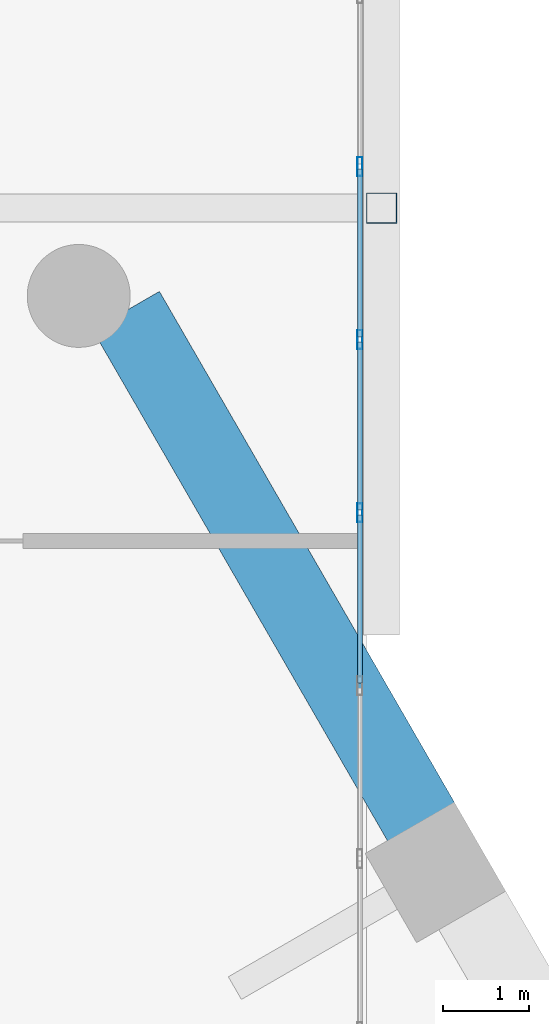
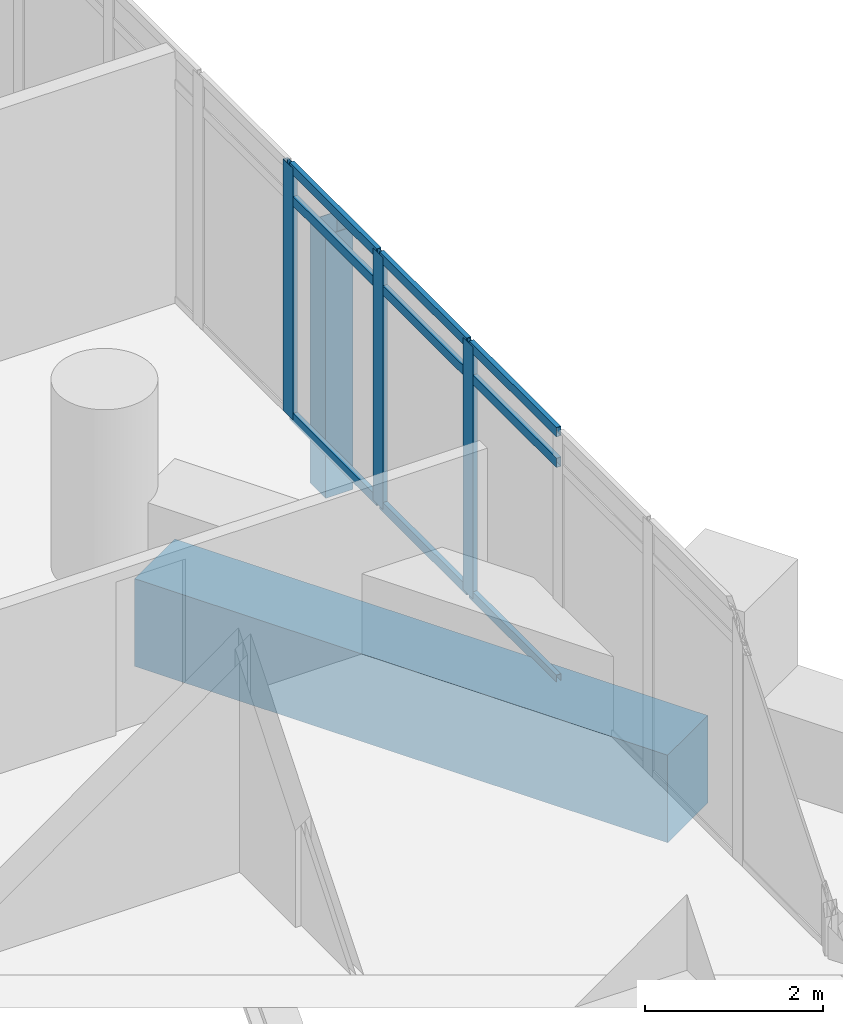
# One storey, part 24 of 37: 13 members, 1 beam, 1 element without a shape of its own.
"""IFC4 building model written with IfcOpenShell, lengths in metres."""

from ifc_helpers import new_model, si_unit, direction, frame, origin, origin_2d, place, context, subcontext, project, spatial, rectangle, hollow_rectangle, extrude, material, material_profile, profile_set, type_object, element, aggregate, save


model = new_model("IFC4")

# Units and contexts
model_context = context("Model", 3, precision=1e-05, world=origin(), true_north=direction((0.0, 1.0)))
body_context = subcontext(model_context, "Body", "Model", "MODEL_VIEW")
ifc_project = project(units=[si_unit("LENGTHUNIT", "METRE"), si_unit("AREAUNIT", "SQUARE_METRE"), si_unit("VOLUMEUNIT", "CUBIC_METRE"), si_unit("PLANEANGLEUNIT", "RADIAN"), si_unit("MASSUNIT", "GRAM", prefix="KILO")], contexts=[model_context])

# Site, building, storey
site_placement = place(None, origin())
site = spatial("IfcSite", under=ifc_project, at=site_placement, CompositionType="ELEMENT")
building_placement = place(site_placement, origin())
building = spatial("IfcBuilding", under=site, at=building_placement, Name="Ostrander Bayou Hotel Tower", CompositionType="ELEMENT")
storey_placement = place(building_placement, frame((0.0, 0.0, 131.0)))
storey = spatial("IfcBuildingStorey", under=building, at=storey_placement, Name="L32", CompositionType="ELEMENT", Elevation=131.0)

# Curtain wall, members
ifc_material_1 = material(Name="Aluminium and clear glass", Category="aluminium")
curtain_wall_type = type_object("IfcCurtainWallType", Name="CW-BAR glazed wall", PredefinedType="NOTDEFINED", material=ifc_material_1)
curtain_wall_placement = place(storey_placement, origin())
curtain_wall = element("IfcCurtainWall", 1, at=curtain_wall_placement, inside=storey, type_object=curtain_wall_type, Name="CW-BAR L32:SB3N:W", PredefinedType="NOTDEFINED")
ifc_material_2 = material(Name="Aluminium", Category="aluminium")
ifc_material_profile_1 = material_profile(ifc_material_2, hollow_rectangle(XDim=0.06005859375, YDim=0.219970703125, WallThickness=0.00390625, at=origin_2d()))
ifc_profile_set_1 = profile_set([ifc_material_profile_1], Name="Aluminium")
member_type_1 = type_object("IfcMemberType", Name="CW-BR mullion 60 x 220 mm", PredefinedType="MULLION", material=ifc_profile_set_1)
member_1_placement = place(storey_placement, frame((13.3671875, 16.931884765625, 0.0), z_axis=(0.0, 0.0, 1.0), x_axis=(-1.0, 0.0, 0.0)))
member_1 = element("IfcMember", 2, at=member_1_placement, type_object=member_type_1, Name="CW-BAR mullion 5", PredefinedType="MULLION", context=body_context, shape_type="SweptSolid", body=[
    extrude(hollow_rectangle(XDim=0.06005859375, YDim=0.219970703125, WallThickness=0.00390625, at=origin_2d()), origin(), (0.0, 0.0, 1.0), 3.449951171875),
])
member_2_placement = place(storey_placement, frame((13.3671875, 18.949462890625, 0.0), z_axis=(0.0, 0.0, 1.0), x_axis=(-1.0, 0.0, 0.0)))
member_2 = element("IfcMember", 3, at=member_2_placement, type_object=member_type_1, Name="CW-BAR mullion 6", PredefinedType="MULLION", context=body_context, shape_type="SweptSolid", body=[
    extrude(hollow_rectangle(XDim=0.06005859375, YDim=0.219970703125, WallThickness=0.00390625, at=origin_2d()), origin(), (0.0, 0.0, 1.0), 3.449951171875),
])
member_3_placement = place(storey_placement, frame((13.3671875, 20.967041015625, 0.0), z_axis=(0.0, 0.0, 1.0), x_axis=(-1.0, 0.0, 0.0)))
member_3 = element("IfcMember", 4, at=member_3_placement, type_object=member_type_1, Name="CW-BAR mullion 7", PredefinedType="MULLION", context=body_context, shape_type="SweptSolid", body=[
    extrude(hollow_rectangle(XDim=0.06005859375, YDim=0.219970703125, WallThickness=0.00390625, at=origin_2d()), origin(), (0.0, 0.0, 1.0), 3.449951171875),
])
ifc_material_3 = material(Name="Aluminium", Category="aluminium")
ifc_material_profile_2 = material_profile(ifc_material_3, hollow_rectangle(XDim=0.06005859375, YDim=0.1298828125, WallThickness=0.00390625, at=origin_2d()))
ifc_profile_set_2 = profile_set([ifc_material_profile_2], Name="Aluminium")
member_type_2 = type_object("IfcMemberType", Name="CW-BR transom 60 x 130 mm", PredefinedType="USERDEFINED", material=ifc_profile_set_2)
member_4_placement = place(storey_placement, frame((13.3671875, 14.9443359375, 0.030029296875), z_axis=(0.0, 1.0, 0.0), x_axis=(-1.0, 0.0, 0.0)))
member_4 = element("IfcMember", 5, at=member_4_placement, type_object=member_type_2, Name="CW-BAR transom 4.1", ObjectType="TRANSOM", PredefinedType="USERDEFINED", context=body_context, shape_type="SweptSolid", body=[
    extrude(hollow_rectangle(XDim=0.06005859375, YDim=0.1298828125, WallThickness=0.00390625, at=origin_2d()), origin(), (0.0, 0.0, 1.0), 1.95751953125),
])
member_5_placement = place(storey_placement, frame((13.3671875, 14.9443359375, 3.0), z_axis=(0.0, 1.0, 0.0), x_axis=(-1.0, 0.0, 0.0)))
member_5 = element("IfcMember", 6, at=member_5_placement, type_object=member_type_2, Name="CW-BAR transom 4.2", ObjectType="TRANSOM", PredefinedType="USERDEFINED", context=body_context, shape_type="SweptSolid", body=[
    extrude(hollow_rectangle(XDim=0.06005859375, YDim=0.1298828125, WallThickness=0.00390625, at=origin_2d()), origin(), (0.0, 0.0, 1.0), 1.95751953125),
])
member_6_placement = place(storey_placement, frame((13.3671875, 14.9443359375, 3.419921875), z_axis=(0.0, 1.0, 0.0), x_axis=(-1.0, 0.0, 0.0)))
member_6 = element("IfcMember", 7, at=member_6_placement, type_object=member_type_2, Name="CW-BAR transom 4.3", ObjectType="TRANSOM", PredefinedType="USERDEFINED", context=body_context, shape_type="SweptSolid", body=[
    extrude(hollow_rectangle(XDim=0.06005859375, YDim=0.1298828125, WallThickness=0.00390625, at=origin_2d()), origin(), (0.0, 0.0, 1.0), 1.95751953125),
])
member_7_placement = place(storey_placement, frame((13.3671875, 16.9619140625, 0.030029296875), z_axis=(0.0, 1.0, 0.0), x_axis=(-1.0, 0.0, 0.0)))
member_7 = element("IfcMember", 8, at=member_7_placement, type_object=member_type_2, Name="CW-BAR transom 5.1", ObjectType="TRANSOM", PredefinedType="USERDEFINED", context=body_context, shape_type="SweptSolid", body=[
    extrude(hollow_rectangle(XDim=0.06005859375, YDim=0.1298828125, WallThickness=0.00390625, at=origin_2d()), origin(), (0.0, 0.0, 1.0), 1.95751953125),
])
member_8_placement = place(storey_placement, frame((13.3671875, 16.9619140625, 3.0), z_axis=(0.0, 1.0, 0.0), x_axis=(-1.0, 0.0, 0.0)))
member_8 = element("IfcMember", 9, at=member_8_placement, type_object=member_type_2, Name="CW-BAR transom 5.2", ObjectType="TRANSOM", PredefinedType="USERDEFINED", context=body_context, shape_type="SweptSolid", body=[
    extrude(hollow_rectangle(XDim=0.06005859375, YDim=0.1298828125, WallThickness=0.00390625, at=origin_2d()), origin(), (0.0, 0.0, 1.0), 1.95751953125),
])
member_9_placement = place(storey_placement, frame((13.3671875, 16.9619140625, 3.419921875), z_axis=(0.0, 1.0, 0.0), x_axis=(-1.0, 0.0, 0.0)))
member_9 = element("IfcMember", 10, at=member_9_placement, type_object=member_type_2, Name="CW-BAR transom 5.3", ObjectType="TRANSOM", PredefinedType="USERDEFINED", context=body_context, shape_type="SweptSolid", body=[
    extrude(hollow_rectangle(XDim=0.06005859375, YDim=0.1298828125, WallThickness=0.00390625, at=origin_2d()), origin(), (0.0, 0.0, 1.0), 1.95751953125),
])
member_10_placement = place(storey_placement, frame((13.3671875, 18.9794921875, 0.030029296875), z_axis=(0.0, 1.0, 0.0), x_axis=(-1.0, 0.0, 0.0)))
member_10 = element("IfcMember", 11, at=member_10_placement, type_object=member_type_2, Name="CW-BAR transom 6.1", ObjectType="TRANSOM", PredefinedType="USERDEFINED", context=body_context, shape_type="SweptSolid", body=[
    extrude(hollow_rectangle(XDim=0.06005859375, YDim=0.1298828125, WallThickness=0.00390625, at=origin_2d()), origin(), (0.0, 0.0, 1.0), 1.95751953125),
])
member_11_placement = place(storey_placement, frame((13.3671875, 18.9794921875, 3.0), z_axis=(0.0, 1.0, 0.0), x_axis=(-1.0, 0.0, 0.0)))
member_11 = element("IfcMember", 12, at=member_11_placement, type_object=member_type_2, Name="CW-BAR transom 6.2", ObjectType="TRANSOM", PredefinedType="USERDEFINED", context=body_context, shape_type="SweptSolid", body=[
    extrude(hollow_rectangle(XDim=0.06005859375, YDim=0.1298828125, WallThickness=0.00390625, at=origin_2d()), origin(), (0.0, 0.0, 1.0), 1.95751953125),
])
member_12_placement = place(storey_placement, frame((13.3671875, 18.9794921875, 3.419921875), z_axis=(0.0, 1.0, 0.0), x_axis=(-1.0, 0.0, 0.0)))
member_12 = element("IfcMember", 13, at=member_12_placement, type_object=member_type_2, Name="CW-BAR transom 6.3", ObjectType="TRANSOM", PredefinedType="USERDEFINED", context=body_context, shape_type="SweptSolid", body=[
    extrude(hollow_rectangle(XDim=0.06005859375, YDim=0.1298828125, WallThickness=0.00390625, at=origin_2d()), origin(), (0.0, 0.0, 1.0), 1.95751953125),
])
aggregate(curtain_wall, [member_1, member_2, member_3, member_4, member_5, member_6, member_7, member_8, member_9, member_10, member_11, member_12])

# Beam
ifc_material_4 = material(Name="Concrete f'c 70 MPa", Category="concrete")
ifc_material_profile_3 = material_profile(ifc_material_4, rectangle(XDim=0.89990234375, YDim=1.199951171875, at=origin_2d()))
ifc_profile_set_3 = profile_set([ifc_material_profile_3], Name="Concrete f'c 70 MPa")
beam_type = type_object("IfcBeamType", Name="SP2 spandrel beam 900 x 1200 mm f'c 70 MPa", PredefinedType="SPANDREL", material=ifc_profile_set_3)
beam_placement = place(storey_placement, frame((14.09228515625, 13.3056640625, -0.60009765625), z_axis=(-0.499990732016, 0.866030754592, 0.0), x_axis=(-0.866030754592, -0.499990732016, 0.0)))
element("IfcBeam", 14, at=beam_placement, inside=storey, type_object=beam_type, Name="SP2 L32 NE-3", PredefinedType="SPANDREL", context=body_context, shape_type="SweptSolid", body=[
    extrude(rectangle(XDim=0.89990234375, YDim=1.199951171875, at=origin_2d()), origin(), (0.0, 0.0, 1.0), 6.906005859375),
])

# Member
ifc_material_5 = material(Name="Steel ASTM A500 Gr C", Category="steel")
ifc_material_profile_4 = material_profile(ifc_material_5, hollow_rectangle(XDim=0.355712890625, YDim=0.355712890625, WallThickness=0.0087890625, at=origin_2d()))
ifc_profile_set_4 = profile_set([ifc_material_profile_4], Name="Steel ASTM A500 Gr C")
member_type_3 = type_object("IfcMemberType", Name="TH3 bar hanger HSS14x14x3/8", PredefinedType="POST", material=ifc_profile_set_4)
member_13_placement = place(storey_placement, frame((13.6201171875, 20.481689453125, -0.771728515625), z_axis=(0.0, 0.0, 1.0), x_axis=(1.0, 0.0, 0.0)))
element("IfcMember", 15, at=member_13_placement, inside=storey, type_object=member_type_3, Name="TH3 SB3WB H3-1", PredefinedType="POST", context=body_context, shape_type="SweptSolid", body=[
    extrude(hollow_rectangle(XDim=0.355712890625, YDim=0.355712890625, WallThickness=0.0087890625, at=origin_2d()), origin(), (0.0, 0.0, 1.0), 3.599853515625),
])

save(model, "model.ifc")
